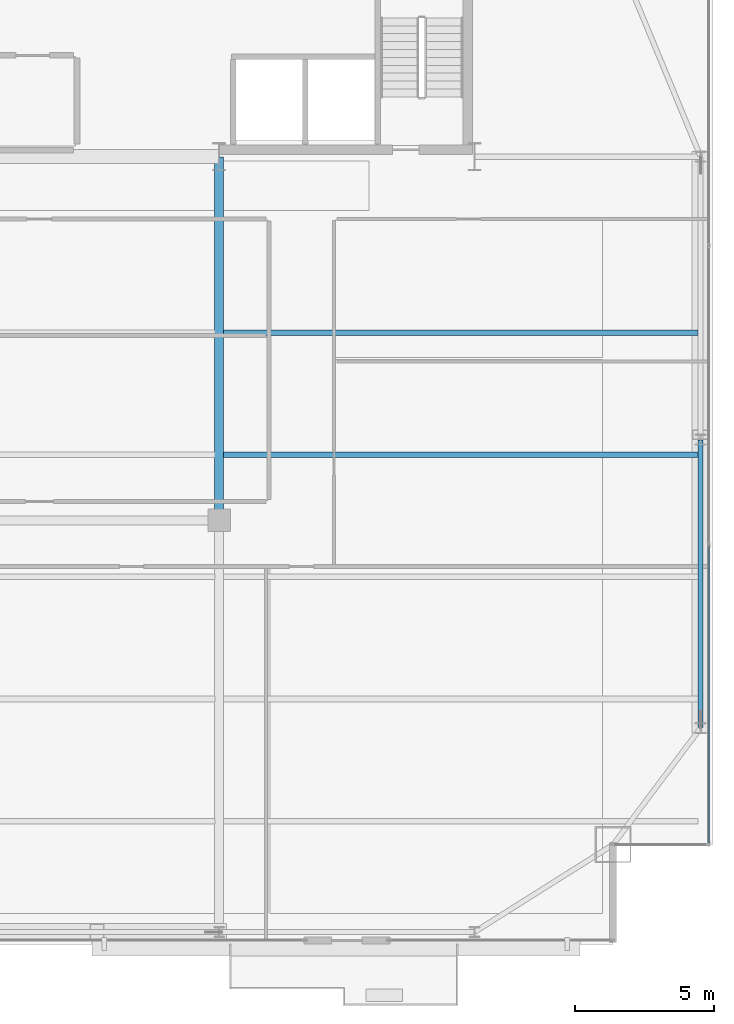
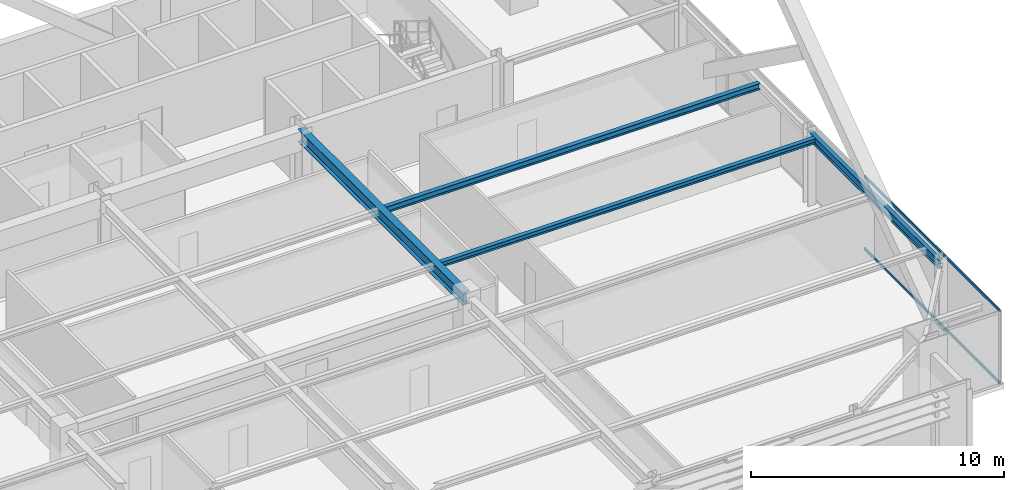
# One storey, part 17 of 34: 4 beams, 2 members, 1 element without a shape of its own.
"""IFC4 building model written with IfcOpenShell, lengths in metres."""

from ifc_helpers import new_model, si_unit, direction, frame, origin, origin_2d, place, context, subcontext, project, spatial, hollow_rectangle, i_section, extrude, source, transform, mapped, material, layer, layer_set, material_profile, profile_set, type_object, type_shapes, element, aggregate, save


model = new_model("IFC4")

# Units and contexts
model_context = context("Model", 3, precision=1e-05, world=origin(), true_north=direction((0.0, 1.0)))
body_context = subcontext(model_context, "Body", "Model", "MODEL_VIEW")
ifc_project = project(units=[si_unit("LENGTHUNIT", "METRE"), si_unit("AREAUNIT", "SQUARE_METRE"), si_unit("VOLUMEUNIT", "CUBIC_METRE"), si_unit("PLANEANGLEUNIT", "RADIAN"), si_unit("MASSUNIT", "GRAM", prefix="KILO")], contexts=[model_context])

# Site, building, storey
site_placement = place(None, origin())
site = spatial("IfcSite", under=ifc_project, at=site_placement, CompositionType="ELEMENT")
building_placement = place(site_placement, origin())
building = spatial("IfcBuilding", under=site, at=building_placement, Name="Varnel Quay Broadcast Tower", CompositionType="ELEMENT")
storey_placement = place(building_placement, frame((0.0, 0.0, 176.199951171875)))
storey = spatial("IfcBuildingStorey", under=building, at=storey_placement, Name="L43", CompositionType="ELEMENT", Elevation=176.199951171875)

# Beams
ifc_material_1 = material(Name="Structural Steel CSA G40.21 350W", Category="steel")
ifc_material_profile_1 = material_profile(ifc_material_1, i_section(OverallWidth=0.180908203125, OverallDepth=0.4169921875, WebThickness=0.010986328125, FlangeThickness=0.018310546875, FilletRadius=0.011962890625, at=origin_2d()), Name="W410X85")
ifc_profile_set_1 = profile_set([ifc_material_profile_1], Name="Structural Steel CSA G40.21 350W")
beam_type_1 = type_object("IfcBeamType", Name="Beam_W410X85", PredefinedType="SPANDREL", material=ifc_profile_set_1)
shared_shape_1 = source(origin(), body_context, "Body", "SweptSolid", [
    extrude(i_section(OverallWidth=0.180908203125, OverallDepth=0.4169921875, WebThickness=0.010986328125, FlangeThickness=0.018310546875, FilletRadius=0.011962890625, at=origin_2d()), origin(), (0.0, 0.0, 1.0), 10.35986328125),
])
type_shapes(beam_type_1, [shared_shape_1])
beam_1_placement = place(storey_placement, frame((60.550048828125, 15.02001953125, 3.341552734375), z_axis=(0.0, 1.0, 0.0), x_axis=(-1.0, 0.0, 0.0)))
element("IfcBeam", 1, at=beam_1_placement, inside=storey, type_object=beam_type_1, Name="L43 East Spandrel TC-E1-TC-E2", PredefinedType="SPANDREL", context=body_context, shape_type="MappedRepresentation", body=[
    mapped(shared_shape_1, transform((0.0, 0.0, 0.0), x_axis=(1.0, 0.0, 0.0), y_axis=(0.0, 1.0, 0.0), z_axis=(0.0, 0.0, 1.0), scale=1.0)),
])
ifc_material_profile_2 = material_profile(ifc_material_1, i_section(OverallWidth=0.324951171875, OverallDepth=0.615966796875, WebThickness=0.013916015625, FlangeThickness=0.021484375, FilletRadius=0.01611328125, at=origin_2d()), Name="W610X174")
ifc_profile_set_2 = profile_set([ifc_material_profile_2], Name="Structural Steel CSA G40.21 350W")
beam_type_2 = type_object("IfcBeamType", Name="Girder_W610X174", PredefinedType="BEAM", material=ifc_profile_set_2)
shared_shape_2 = source(origin(), body_context, "Body", "SweptSolid", [
    extrude(i_section(OverallWidth=0.324951171875, OverallDepth=0.615966796875, WebThickness=0.013916015625, FlangeThickness=0.021484375, FilletRadius=0.01611328125, at=origin_2d()), origin(), (0.0, 0.0, 1.0), 13.070068359375),
])
type_shapes(beam_type_2, [shared_shape_2])
beam_2_placement = place(storey_placement, frame((43.199951171875, 22.510009765625, 3.241943359375), z_axis=(0.0, 1.0, 0.0), x_axis=(-1.0, 0.0, 0.0)))
element("IfcBeam", 2, at=beam_2_placement, inside=storey, type_object=beam_type_2, Name="L43 Primary Girder IC-02-CC-S4", PredefinedType="BEAM", context=body_context, shape_type="MappedRepresentation", body=[
    mapped(shared_shape_2, transform((0.0, 0.0, 0.0), x_axis=(1.0, 0.0, 0.0), y_axis=(0.0, 1.0, 0.0), z_axis=(0.0, 0.0, 1.0), scale=1.0)),
])
ifc_material_profile_3 = material_profile(ifc_material_1, i_section(OverallWidth=0.202880859375, OverallDepth=0.302978515625, WebThickness=0.007568359375, FlangeThickness=0.01318359375, FilletRadius=0.011962890625, at=origin_2d()), Name="W310X60")
ifc_profile_set_3 = profile_set([ifc_material_profile_3], Name="Structural Steel CSA G40.21 350W")
beam_type_3 = type_object("IfcBeamType", Name="Beam_W310X60", PredefinedType="JOIST", material=ifc_profile_set_3)
shared_shape_3 = source(origin(), body_context, "Body", "SweptSolid", [
    extrude(i_section(OverallWidth=0.202880859375, OverallDepth=0.302978515625, WebThickness=0.007568359375, FlangeThickness=0.01318359375, FilletRadius=0.011962890625, at=origin_2d()), origin(), (0.0, 0.0, 1.0), 17.107177734375),
])
type_shapes(beam_type_3, [shared_shape_3])
beam_3_placement = place(storey_placement, frame((43.357421875, 29.25, 3.3984375), z_axis=(1.0, 0.0, 0.0), x_axis=(0.0, 1.0, 0.0)))
element("IfcBeam", 3, at=beam_3_placement, inside=storey, type_object=beam_type_3, Name="L43 East Floor Joist 5", PredefinedType="JOIST", context=body_context, shape_type="MappedRepresentation", body=[
    mapped(shared_shape_3, transform((0.0, 0.0, 0.0), x_axis=(1.0, 0.0, 0.0), y_axis=(0.0, 1.0, 0.0), z_axis=(0.0, 0.0, 1.0), scale=1.0)),
])
ifc_material_profile_4 = material_profile(ifc_material_1, i_section(OverallWidth=0.201904296875, OverallDepth=0.2470703125, WebThickness=0.00732421875, FlangeThickness=0.010986328125, FilletRadius=0.010986328125, at=origin_2d()), Name="W250X49")
ifc_profile_set_4 = profile_set([ifc_material_profile_4], Name="Structural Steel CSA G40.21 350W")
beam_type_4 = type_object("IfcBeamType", Name="Beam_W250X49", PredefinedType="JOIST", material=ifc_profile_set_4)
shared_shape_4 = source(origin(), body_context, "Body", "SweptSolid", [
    extrude(i_section(OverallWidth=0.201904296875, OverallDepth=0.2470703125, WebThickness=0.00732421875, FlangeThickness=0.010986328125, FilletRadius=0.010986328125, at=origin_2d()), origin(), (0.0, 0.0, 1.0), 17.107177734375),
])
type_shapes(beam_type_4, [shared_shape_4])
beam_4_placement = place(storey_placement, frame((43.357421875, 24.85009765625, 3.426513671875), z_axis=(1.0, 0.0, 0.0), x_axis=(0.0, 1.0, 0.0)))
element("IfcBeam", 4, at=beam_4_placement, inside=storey, type_object=beam_type_4, Name="L43 East Floor Joist 4", PredefinedType="JOIST", context=body_context, shape_type="MappedRepresentation", body=[
    mapped(shared_shape_4, transform((0.0, 0.0, 0.0), x_axis=(1.0, 0.0, 0.0), y_axis=(0.0, 1.0, 0.0), z_axis=(0.0, 0.0, 1.0), scale=1.0)),
])

# Curtain wall, members
ifc_material_2 = material(Name="Anodised Bronze Aluminium 6063-T6", Category="aluminium")
ifc_layer = layer(ifc_material_2, 0.18994140625, Name="Anodised Bronze Aluminium 6063-T6")
ifc_layer_set = layer_set([ifc_layer], Name="Anodised Bronze Aluminium 6063-T6")
curtain_wall_type = type_object("IfcCurtainWallType", Name="CW_UpperTower", PredefinedType="NOTDEFINED", material=ifc_layer_set)
curtain_wall_placement = place(storey_placement, origin())
curtain_wall = element("IfcCurtainWall", 5, at=curtain_wall_placement, inside=storey, type_object=curtain_wall_type, Name="L43 East Unitised Curtain Wall", PredefinedType="NOTDEFINED")
ifc_material_profile_5 = material_profile(ifc_material_2, hollow_rectangle(XDim=0.06005859375, YDim=0.125, WallThickness=0.0029296875, at=origin_2d()), Name="ALU60X125X3")
ifc_profile_set_5 = profile_set([ifc_material_profile_5], Name="Anodised Bronze Aluminium 6063-T6")
member_type = type_object("IfcMemberType", Name="Tran_CWS-03", PredefinedType="USERDEFINED", material=ifc_profile_set_5)
shared_shape_5 = source(origin(), body_context, "Body", "SweptSolid", [
    extrude(hollow_rectangle(XDim=0.06005859375, YDim=0.125, WallThickness=0.0029296875, at=origin_2d()), origin(), (0.0, 0.0, 1.0), 10.702392578125),
])
type_shapes(member_type, [shared_shape_5])
member_1_placement = place(storey_placement, frame((60.85009765625, 10.864990234375, 0.030029296875), z_axis=(0.0, 1.0, 0.0), x_axis=(-1.0, 0.0, 0.0)))
member_1 = element("IfcMember", 6, at=member_1_placement, type_object=member_type, Name="CWS-03 transom 1.1", ObjectType="TRANSOM", PredefinedType="USERDEFINED", context=body_context, shape_type="MappedRepresentation", body=[
    mapped(shared_shape_5, transform((0.0, 0.0, 0.0), x_axis=(1.0, 0.0, 0.0), y_axis=(0.0, 1.0, 0.0), z_axis=(0.0, 0.0, 1.0), scale=1.0)),
])
member_2_placement = place(storey_placement, frame((60.85009765625, 10.864990234375, 3.52001953125), z_axis=(0.0, 1.0, 0.0), x_axis=(-1.0, 0.0, 0.0)))
member_2 = element("IfcMember", 7, at=member_2_placement, type_object=member_type, Name="CWS-03 transom 1.2", ObjectType="TRANSOM", PredefinedType="USERDEFINED", context=body_context, shape_type="MappedRepresentation", body=[
    mapped(shared_shape_5, transform((0.0, 0.0, 0.0), x_axis=(1.0, 0.0, 0.0), y_axis=(0.0, 1.0, 0.0), z_axis=(0.0, 0.0, 1.0), scale=1.0)),
])
aggregate(curtain_wall, [member_1, member_2])

save(model, "model.ifc")
